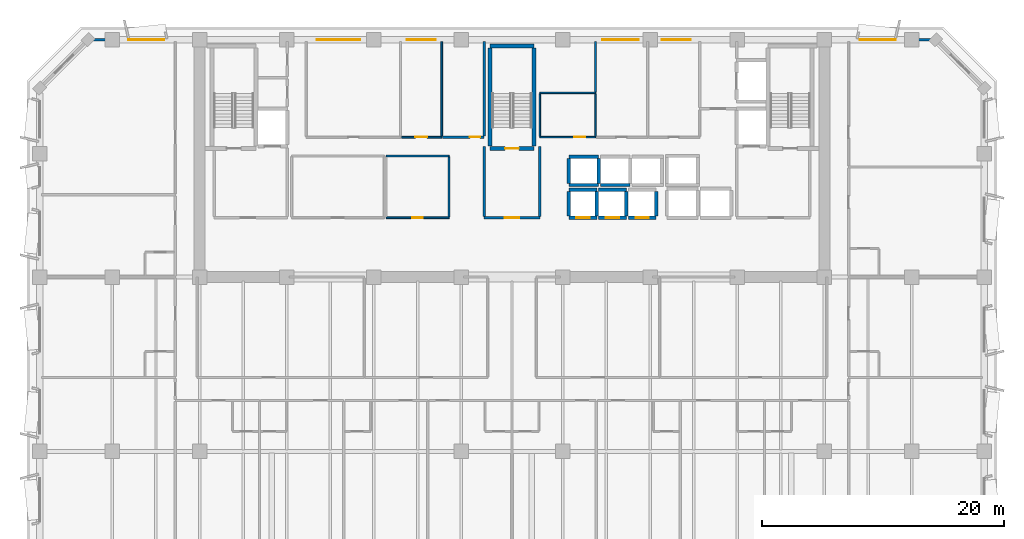
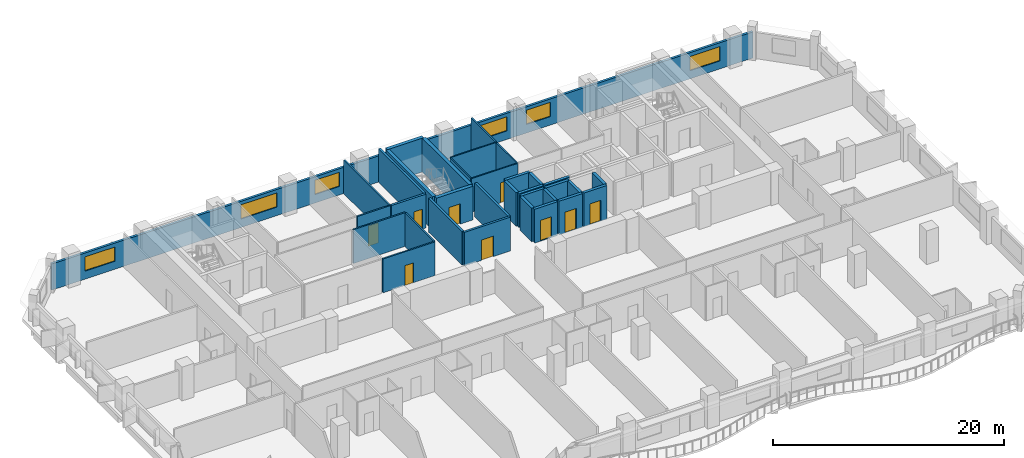
# One storey, part 7 of 14: 34 walls, 9 doors, 6 windows, 15 openings.
"""IFC4 building model written with IfcOpenShell, lengths in metres."""

from ifc_helpers import new_model, si_unit, direction, frame, frame_2d, origin, place, context, subcontext, project, spatial, rectangle, extrude, material, layer, layer_set, type_object, element, fill, save


model = new_model("IFC4")

# Units and contexts
model_context = context("Model", 3, precision=1e-05, world=origin(), true_north=direction((0.0, 1.0)))
body_context = subcontext(model_context, "Body", "Model", "MODEL_VIEW")
ifc_project = project(units=[si_unit("LENGTHUNIT", "METRE"), si_unit("AREAUNIT", "SQUARE_METRE"), si_unit("VOLUMEUNIT", "CUBIC_METRE"), si_unit("PLANEANGLEUNIT", "RADIAN"), si_unit("MASSUNIT", "GRAM", prefix="KILO")], contexts=[model_context])

# Site, building, storey
site_placement = place(None, origin())
site = spatial("IfcSite", under=ifc_project, at=site_placement, CompositionType="ELEMENT")
building_placement = place(site_placement, origin())
building = spatial("IfcBuilding", under=site, at=building_placement, Name="Kaelvorn Grand Hotel", CompositionType="ELEMENT")
storey_placement = place(building_placement, frame((0.0, 0.0, 161.949951171875)))
storey = spatial("IfcBuildingStorey", under=building, at=storey_placement, Name="L39", CompositionType="ELEMENT", Elevation=161.949951171875)

# Wall, openings, windows
ifc_material_1 = material(Name="Concrete C40/50", Category="concrete")
ifc_layer_1 = layer(ifc_material_1, 0.239990234375)
ifc_layer_set_1 = layer_set([ifc_layer_1], Name="Concrete C40/50")
wall_type_1 = type_object("IfcWallType", Name="WL-EXT-240-C40", PredefinedType="SOLIDWALL", material=ifc_layer_set_1)
wall_1_placement = place(storey_placement, frame((77.0, 49.0, 0.0), z_axis=(0.0, 0.0, 1.0), x_axis=(-1.0, 0.0, 0.0)))
wall_1 = element("IfcWall", 1, at=wall_1_placement, inside=storey, type_object=wall_type_1, Name="L39 Exterior Architectural Concrete Wall 05", PredefinedType="SOLIDWALL", context=body_context, shape_type="SweptSolid", body=[
    extrude(rectangle(XDim=70.0, YDim=0.239990234375, at=frame_2d((35.0, 0.0))), origin(), (0.0, 0.0, 1.0), 2.760009765625),
])
opening_1_placement = place(wall_1_placement, frame((63.699951171875, 0.0, 0.85009765625)))
opening_1 = element("IfcOpeningElement", 2, at=opening_1_placement, cuts=wall_1, Name="Opening W5", PredefinedType="OPENING", context=body_context, shape_type="SweptSolid", body=[
    extrude(rectangle(XDim=3.0, YDim=1.5, at=frame_2d((1.5, 0.75))), frame((0.0, 0.1298828125, 0.0), z_axis=(0.0, -1.0, 0.0), x_axis=(1.0, 0.0, 0.0)), (0.0, 0.0, 1.0), 0.260009765625),
])
opening_2_placement = place(wall_1_placement, frame((3.300048828125, 0.0, 0.85009765625)))
opening_2 = element("IfcOpeningElement", 3, at=opening_2_placement, cuts=wall_1, Name="Opening W5", PredefinedType="OPENING", context=body_context, shape_type="SweptSolid", body=[
    extrude(rectangle(XDim=3.0, YDim=1.5, at=frame_2d((1.5, 0.75))), frame((0.0, 0.1298828125, 0.0), z_axis=(0.0, -1.0, 0.0), x_axis=(1.0, 0.0, 0.0)), (0.0, 0.0, 1.0), 0.260009765625),
])
opening_3_placement = place(wall_1_placement, frame((47.514892578125, 0.0, 0.89990234375)))
opening_3 = element("IfcOpeningElement", 4, at=opening_3_placement, cuts=wall_1, Name="Opening W3", PredefinedType="OPENING", context=body_context, shape_type="SweptSolid", body=[
    extrude(rectangle(XDim=3.60009765625, YDim=1.5, at=frame_2d((1.800048828125, 0.75))), frame((0.0, 0.1298828125, 0.0), z_axis=(0.0, -1.0, 0.0), x_axis=(1.0, 0.0, 0.0)), (0.0, 0.0, 1.0), 0.260009765625),
])
opening_4_placement = place(wall_1_placement, frame((41.300048828125, 0.0, 0.89990234375)))
opening_4 = element("IfcOpeningElement", 5, at=opening_4_placement, cuts=wall_1, Name="Opening W6", PredefinedType="OPENING", context=body_context, shape_type="SweptSolid", body=[
    extrude(rectangle(XDim=2.39990234375, YDim=1.5, at=frame_2d((1.199951171875, 0.75))), frame((0.0, 0.1298828125, 0.0), z_axis=(0.0, -1.0, 0.0), x_axis=(1.0, 0.0, 0.0)), (0.0, 0.0, 1.0), 0.260009765625),
])
opening_5_placement = place(wall_1_placement, frame((24.550048828125, 0.0, 0.89990234375)))
opening_5 = element("IfcOpeningElement", 6, at=opening_5_placement, cuts=wall_1, Name="Opening W5", PredefinedType="OPENING", context=body_context, shape_type="SweptSolid", body=[
    extrude(rectangle(XDim=3.0, YDim=1.5, at=frame_2d((1.5, 0.75))), frame((0.0, 0.1298828125, 0.0), z_axis=(0.0, -1.0, 0.0), x_axis=(1.0, 0.0, 0.0)), (0.0, 0.0, 1.0), 0.260009765625),
])
opening_6_placement = place(wall_1_placement, frame((20.235107421875, 0.0, 0.89990234375)))
opening_6 = element("IfcOpeningElement", 7, at=opening_6_placement, cuts=wall_1, Name="Opening W6", PredefinedType="OPENING", context=body_context, shape_type="SweptSolid", body=[
    extrude(rectangle(XDim=2.39990234375, YDim=1.5, at=frame_2d((1.199951171875, 0.75))), frame((0.0, 0.1298828125, 0.0), z_axis=(0.0, -1.0, 0.0), x_axis=(1.0, 0.0, 0.0)), (0.0, 0.0, 1.0), 0.260009765625),
])
ifc_material_2 = material(Name="Laminated Low-E Glass", Category="glass")
window_type_1 = type_object("IfcWindowType", Name="WIN-NTH-2400x1500", PartitioningType="SINGLE_PANEL", PredefinedType="WINDOW", material=ifc_material_2)
window_1_placement = place(opening_4_placement, origin())
window_1 = element("IfcWindow", 8, at=window_1_placement, inside=storey, type_object=window_type_1, Name="L39 North Core Clerestory Ribbon Window NC04", OverallHeight=1.5, OverallWidth=2.39990234375, PartitioningType="SINGLE_PANEL", PredefinedType="WINDOW", context=body_context, shape_type="SweptSolid", body=[
    extrude(rectangle(XDim=2.39990234375, YDim=1.5, at=frame_2d((1.199951171875, 0.75))), frame((0.0, 0.030029296875, 0.0), z_axis=(0.0, -1.0, 0.0), x_axis=(1.0, 0.0, 0.0)), (0.0, 0.0, 1.0), 0.06005859375),
])
fill(opening_4, window_1)
window_2_placement = place(opening_6_placement, origin())
window_2 = element("IfcWindow", 9, at=window_2_placement, inside=storey, type_object=window_type_1, Name="L39 North Core Clerestory Ribbon Window NC06", OverallHeight=1.5, OverallWidth=2.39990234375, PartitioningType="SINGLE_PANEL", PredefinedType="WINDOW", context=body_context, shape_type="SweptSolid", body=[
    extrude(rectangle(XDim=2.39990234375, YDim=1.5, at=frame_2d((1.199951171875, 0.75))), frame((0.0, 0.030029296875, 0.0), z_axis=(0.0, -1.0, 0.0), x_axis=(1.0, 0.0, 0.0)), (0.0, 0.0, 1.0), 0.06005859375),
])
fill(opening_6, window_2)
window_type_2 = type_object("IfcWindowType", Name="WIN-NTH-3000x1500", PartitioningType="SINGLE_PANEL", PredefinedType="WINDOW", material=ifc_material_2)
window_3_placement = place(opening_1_placement, origin())
window_3 = element("IfcWindow", 10, at=window_3_placement, inside=storey, type_object=window_type_2, Name="L39 North Wing Ribbon Window NW01", OverallHeight=1.5, OverallWidth=3.0, PartitioningType="SINGLE_PANEL", PredefinedType="WINDOW", context=body_context, shape_type="SweptSolid", body=[
    extrude(rectangle(XDim=3.0, YDim=1.5, at=frame_2d((1.5, 0.75))), frame((0.0, 0.030029296875, 0.0), z_axis=(0.0, -1.0, 0.0), x_axis=(1.0, 0.0, 0.0)), (0.0, 0.0, 1.0), 0.06005859375),
])
fill(opening_1, window_3)
window_4_placement = place(opening_2_placement, origin())
window_4 = element("IfcWindow", 11, at=window_4_placement, inside=storey, type_object=window_type_2, Name="L39 North Wing Ribbon Window NW02", OverallHeight=1.5, OverallWidth=3.0, PartitioningType="SINGLE_PANEL", PredefinedType="WINDOW", context=body_context, shape_type="SweptSolid", body=[
    extrude(rectangle(XDim=3.0, YDim=1.5, at=frame_2d((1.5, 0.75))), frame((0.0, 0.030029296875, 0.0), z_axis=(0.0, -1.0, 0.0), x_axis=(1.0, 0.0, 0.0)), (0.0, 0.0, 1.0), 0.06005859375),
])
fill(opening_2, window_4)
window_5_placement = place(opening_5_placement, origin())
window_5 = element("IfcWindow", 12, at=window_5_placement, inside=storey, type_object=window_type_2, Name="L39 North Core Clerestory Ribbon Window NC05", OverallHeight=1.5, OverallWidth=3.0, PartitioningType="SINGLE_PANEL", PredefinedType="WINDOW", context=body_context, shape_type="SweptSolid", body=[
    extrude(rectangle(XDim=3.0, YDim=1.5, at=frame_2d((1.5, 0.75))), frame((0.0, 0.030029296875, 0.0), z_axis=(0.0, -1.0, 0.0), x_axis=(1.0, 0.0, 0.0)), (0.0, 0.0, 1.0), 0.06005859375),
])
fill(opening_5, window_5)
window_type_3 = type_object("IfcWindowType", Name="WIN-RIB-3600x1750", PartitioningType="SINGLE_PANEL", PredefinedType="WINDOW", material=ifc_material_2)
window_6_placement = place(opening_3_placement, origin())
window_6 = element("IfcWindow", 13, at=window_6_placement, inside=storey, type_object=window_type_3, Name="L39 North Core Clerestory Ribbon Window NC03", OverallHeight=1.5, OverallWidth=3.60009765625, PartitioningType="SINGLE_PANEL", PredefinedType="WINDOW", context=body_context, shape_type="SweptSolid", body=[
    extrude(rectangle(XDim=3.60009765625, YDim=1.5, at=frame_2d((1.800048828125, 0.75))), frame((0.0, 0.030029296875, 0.0), z_axis=(0.0, -1.0, 0.0), x_axis=(1.0, 0.0, 0.0)), (0.0, 0.0, 1.0), 0.06005859375),
])
fill(opening_3, window_6)

# Wall, opening, door
ifc_material_3 = material(Name="Moisture-Resistant Tile & Stud Board")
ifc_layer_2 = layer(ifc_material_3, 0.125)
ifc_layer_set_2 = layer_set([ifc_layer_2], Name="Moisture-Resistant Tile & Stud Board")
wall_type_2 = type_object("IfcWallType", Name="WL-PART-125-WET", PredefinedType="PARTITIONING", material=ifc_layer_set_2)
wall_2_placement = place(storey_placement, frame((44.300048828125, 40.949951171875, 0.0), z_axis=(0.0, 0.0, 1.0), x_axis=(1.0, 0.0, 0.0)))
wall_2 = element("IfcWall", 14, at=wall_2_placement, inside=storey, type_object=wall_type_2, Name="L39 Accessible WC S Partition", PredefinedType="PARTITIONING", context=body_context, shape_type="SweptSolid", body=[
    extrude(rectangle(XDim=4.599853515625, YDim=0.125, at=frame_2d((2.2998046875, 0.0))), origin(), (0.0, 0.0, 1.0), 3.56005859375),
])
opening_7_placement = place(wall_2_placement, frame((2.85009765625, 0.0, 0.0)))
opening_7 = element("IfcOpeningElement", 15, at=opening_7_placement, cuts=wall_2, Name="Opening DI4", PredefinedType="OPENING", context=body_context, shape_type="SweptSolid", body=[
    extrude(rectangle(XDim=0.89990234375, YDim=2.10009765625, at=frame_2d((0.449951171875, 1.050048828125))), frame((0.0, 0.072509765625, 0.0), z_axis=(0.0, -1.0, 0.0), x_axis=(1.0, 0.0, 0.0)), (0.0, 0.0, 1.0), 0.14501953125),
])
ifc_material_4 = material(Name="Timber Veneer Leaf", Category="wood")
door_type_1 = type_object("IfcDoorType", Name="DR-INT-BATH-900x2100", OperationType="NOTDEFINED", PredefinedType="DOOR", material=ifc_material_4)
door_1_placement = place(opening_7_placement, origin())
door_1 = element("IfcDoor", 16, at=door_1_placement, inside=storey, type_object=door_type_1, Name="L39 Accessible WC Door", OperationType="SINGLE_SWING_RIGHT", OverallHeight=2.10009765625, OverallWidth=0.89990234375, PredefinedType="DOOR", context=body_context, shape_type="SweptSolid", body=[
    extrude(rectangle(XDim=0.89990234375, YDim=2.10009765625, at=frame_2d((0.449951171875, 1.050048828125))), frame((0.0, 0.02490234375, 0.0), z_axis=(0.0, -1.0, 0.0), x_axis=(1.0, 0.0, 0.0)), (0.0, 0.0, 1.0), 0.050048828125),
])
fill(opening_7, door_1)

# Walls
wall_3_placement = place(storey_placement, frame((44.300048828125, 44.60009765625, 0.0), z_axis=(0.0, 0.0, 1.0), x_axis=(1.0, 0.0, 0.0)))
element("IfcWall", 17, at=wall_3_placement, inside=storey, type_object=wall_type_2, Name="L39 Accessible WC N Partition", PredefinedType="PARTITIONING", context=body_context, shape_type="SweptSolid", body=[
    extrude(rectangle(XDim=4.599853515625, YDim=0.125, at=frame_2d((2.2998046875, 0.0))), origin(), (0.0, 0.0, 1.0), 3.56005859375),
])
for number, where, z_axis, x_axis, name in (
    (18, (44.300048828125, 41.017578125, 0.0), (0.0, 0.0, 1.0), (0.0, 1.0, 0.0), "L39 Accessible WC W Partition"),
    (19, (48.89990234375, 41.017578125, 0.0), (0.0, 0.0, 1.0), (0.0, 1.0, 0.0), "L39 Accessible WC E Partition"),
):
    element("IfcWall", number, at=place(storey_placement, frame(where, z_axis=z_axis, x_axis=x_axis)), inside=storey, type_object=wall_type_2, Name=name, PredefinedType="PARTITIONING", context=body_context, shape_type="SweptSolid", body=[
        extrude(rectangle(XDim=3.514892578125, YDim=0.125, at=frame_2d((1.75732421875, 0.0))), origin(), (0.0, 0.0, 1.0), 3.56005859375),
    ])

# Wall, opening, door
ifc_material_5 = material(Name="Acoustic Gypsum & Stud Partition")
ifc_layer_3 = layer(ifc_material_5, 0.14990234375)
ifc_layer_set_3 = layer_set([ifc_layer_3], Name="Acoustic Gypsum & Stud Partition")
wall_type_3 = type_object("IfcWallType", Name="WL-PART-150-EI60", PredefinedType="PARTITIONING", material=ifc_layer_set_3)
wall_4_placement = place(storey_placement, frame((31.60009765625, 34.300048828125, 0.0), z_axis=(0.0, 0.0, 1.0), x_axis=(1.0, 0.0, 0.0)))
wall_4 = element("IfcWall", 20, at=wall_4_placement, inside=storey, type_object=wall_type_3, Name="L39 Core Telecoms & BMS Server Room S Partition", PredefinedType="PARTITIONING", context=body_context, shape_type="SweptSolid", body=[
    extrude(rectangle(XDim=5.199951171875, YDim=0.14990234375, at=frame_2d((2.60009765625, 0.0))), origin(), (0.0, 0.0, 1.0), 3.56005859375),
])
opening_8_placement = place(wall_4_placement, frame((2.175048828125, 0.0, 0.0)))
opening_8 = element("IfcOpeningElement", 21, at=opening_8_placement, cuts=wall_4, Name="Opening DI7", PredefinedType="OPENING", context=body_context, shape_type="SweptSolid", body=[
    extrude(rectangle(XDim=0.85009765625, YDim=2.10009765625, at=frame_2d((0.425048828125, 1.050048828125))), frame((0.0, 0.0849609375, 0.0), z_axis=(0.0, -1.0, 0.0), x_axis=(1.0, 0.0, 0.0)), (0.0, 0.0, 1.0), 0.169921875),
])
ifc_material_6 = material(Name="Powder-Coated Steel Leaf", Category="steel")
door_type_2 = type_object("IfcDoorType", Name="DR-INT-RISER-850x2100", OperationType="NOTDEFINED", PredefinedType="DOOR", material=ifc_material_6)
door_2_placement = place(opening_8_placement, origin())
door_2 = element("IfcDoor", 22, at=door_2_placement, inside=storey, type_object=door_type_2, Name="L39 Core Telecoms & BMS Server Room Door", OperationType="SINGLE_SWING_LEFT", OverallHeight=2.10009765625, OverallWidth=0.85009765625, PredefinedType="DOOR", context=body_context, shape_type="SweptSolid", body=[
    extrude(rectangle(XDim=0.85009765625, YDim=2.10009765625, at=frame_2d((0.425048828125, 1.050048828125))), frame((0.0, 0.02490234375, 0.0), z_axis=(0.0, -1.0, 0.0), x_axis=(1.0, 0.0, 0.0)), (0.0, 0.0, 1.0), 0.050048828125),
])
fill(opening_8, door_2)

# Walls
wall_5_placement = place(storey_placement, frame((31.60009765625, 39.39990234375, 0.0), z_axis=(0.0, 0.0, 1.0), x_axis=(1.0, 0.0, 0.0)))
element("IfcWall", 23, at=wall_5_placement, inside=storey, type_object=wall_type_3, Name="L39 Core Telecoms & BMS Server Room N Partition", PredefinedType="PARTITIONING", context=body_context, shape_type="SweptSolid", body=[
    extrude(rectangle(XDim=5.199951171875, YDim=0.14990234375, at=frame_2d((2.60009765625, 0.0))), origin(), (0.0, 0.0, 1.0), 3.56005859375),
])
wall_6_placement = place(storey_placement, frame((36.800048828125, 34.3798828125, 0.0), z_axis=(0.0, 0.0, 1.0), x_axis=(0.0, 1.0, 0.0)))
element("IfcWall", 24, at=wall_6_placement, inside=storey, type_object=wall_type_3, Name="L39 Core Telecoms & BMS Server Room E Partition", PredefinedType="PARTITIONING", context=body_context, shape_type="SweptSolid", body=[
    extrude(rectangle(XDim=4.940185546875, YDim=0.14990234375, at=frame_2d((2.47021484375, 0.0))), origin(), (0.0, 0.0, 1.0), 3.56005859375),
])

# Wall, opening, door
wall_7_placement = place(storey_placement, frame((32.8798828125, 40.949951171875, 0.0), z_axis=(0.0, 0.0, 1.0), x_axis=(1.0, 0.0, 0.0)))
wall_7 = element("IfcWall", 25, at=wall_7_placement, inside=storey, type_object=wall_type_3, Name="L39 Floor Butler Tea Point S Partition", PredefinedType="PARTITIONING", context=body_context, shape_type="SweptSolid", body=[
    extrude(rectangle(XDim=3.320068359375, YDim=0.14990234375, at=frame_2d((1.66015625, 0.0))), origin(), (0.0, 0.0, 1.0), 3.56005859375),
])
opening_9_placement = place(wall_7_placement, frame((1.1201171875, 0.0, 0.0)))
opening_9 = element("IfcOpeningElement", 26, at=opening_9_placement, cuts=wall_7, Name="Opening DI3", PredefinedType="OPENING", context=body_context, shape_type="SweptSolid", body=[
    extrude(rectangle(XDim=1.0, YDim=2.14990234375, at=frame_2d((0.5, 1.074951171875))), frame((0.0, 0.0849609375, 0.0), z_axis=(0.0, -1.0, 0.0), x_axis=(1.0, 0.0, 0.0)), (0.0, 0.0, 1.0), 0.169921875),
])
ifc_material_7 = material(Name="Timber Veneer Fire Leaf", Category="wood")
door_type_3 = type_object("IfcDoorType", Name="DR-INT-GUEST-1000x2150", OperationType="NOTDEFINED", PredefinedType="DOOR", material=ifc_material_7)
door_3_placement = place(opening_9_placement, origin())
door_3 = element("IfcDoor", 27, at=door_3_placement, inside=storey, type_object=door_type_3, Name="L39 Floor Butler Tea Point Door", OperationType="SINGLE_SWING_RIGHT", OverallHeight=2.14990234375, OverallWidth=1.0, PredefinedType="DOOR", context=body_context, shape_type="SweptSolid", body=[
    extrude(rectangle(XDim=1.0, YDim=2.14990234375, at=frame_2d((0.5, 1.074951171875))), frame((0.0, 0.02490234375, 0.0), z_axis=(0.0, -1.0, 0.0), x_axis=(1.0, 0.0, 0.0)), (0.0, 0.0, 1.0), 0.050048828125),
])
fill(opening_9, door_3)

# Walls
wall_8_placement = place(storey_placement, frame((36.199951171875, 41.030029296875, 0.0), z_axis=(0.0, 0.0, 1.0), x_axis=(0.0, 1.0, 0.0)))
element("IfcWall", 28, at=wall_8_placement, inside=storey, type_object=wall_type_3, Name="L39 Floor Butler Tea Point E Partition", PredefinedType="PARTITIONING", context=body_context, shape_type="SweptSolid", body=[
    extrude(rectangle(XDim=7.820068359375, YDim=0.14990234375, at=frame_2d((3.91015625, 0.0))), origin(), (0.0, 0.0, 1.0), 3.56005859375),
])
wall_9_placement = place(storey_placement, frame((48.89990234375, 44.66748046875, 0.0), z_axis=(0.0, 0.0, 1.0), x_axis=(0.0, 1.0, 0.0)))
element("IfcWall", 29, at=wall_9_placement, inside=storey, type_object=wall_type_3, Name="L39 Minibar & Glassware Store W Partition", PredefinedType="PARTITIONING", context=body_context, shape_type="SweptSolid", body=[
    extrude(rectangle(XDim=4.1826171875, YDim=0.14990234375, at=frame_2d((2.09130859375, 0.0))), origin(), (0.0, 0.0, 1.0), 3.56005859375),
])

# Wall, opening, door
ifc_layer_4 = layer(ifc_material_1, 0.219970703125)
ifc_layer_set_4 = layer_set([ifc_layer_4], Name="Concrete C40/50")
wall_type_4 = type_object("IfcWallType", Name="WL-PART-220-EI120", PredefinedType="PARTITIONING", material=ifc_layer_set_4)
wall_10_placement = place(storey_placement, frame((39.699951171875, 34.300048828125, 0.0), z_axis=(0.0, 0.0, 1.0), x_axis=(1.0, 0.0, 0.0)))
wall_10 = element("IfcWall", 30, at=wall_10_placement, inside=storey, type_object=wall_type_4, Name="L39 Central Stair Escape Vestibule S Partition", PredefinedType="PARTITIONING", context=body_context, shape_type="SweptSolid", body=[
    extrude(rectangle(XDim=4.60009765625, YDim=0.219970703125, at=frame_2d((2.300048828125, 0.0))), origin(), (0.0, 0.0, 1.0), 3.56005859375),
])
opening_10_placement = place(wall_10_placement, frame((1.699951171875, 0.0, 0.0)))
opening_10 = element("IfcOpeningElement", 31, at=opening_10_placement, cuts=wall_10, Name="Opening DI2", PredefinedType="OPENING", context=body_context, shape_type="SweptSolid", body=[
    extrude(rectangle(XDim=1.199951171875, YDim=2.14990234375, at=frame_2d((0.60009765625, 1.074951171875))), frame((0.0, 0.1201171875, 0.0), z_axis=(0.0, -1.0, 0.0), x_axis=(1.0, 0.0, 0.0)), (0.0, 0.0, 1.0), 0.239990234375),
])
door_type_4 = type_object("IfcDoorType", Name="DR-INT-FFLOB-1200x2150", OperationType="NOTDEFINED", PredefinedType="DOOR", material=ifc_material_7)
door_4_placement = place(opening_10_placement, origin())
door_4 = element("IfcDoor", 32, at=door_4_placement, inside=storey, type_object=door_type_4, Name="L39 Central Stair Escape Vestibule Door", OperationType="SINGLE_SWING_LEFT", OverallHeight=2.14990234375, OverallWidth=1.199951171875, PredefinedType="DOOR", context=body_context, shape_type="SweptSolid", body=[
    extrude(rectangle(XDim=1.199951171875, YDim=2.14990234375, at=frame_2d((0.60009765625, 1.074951171875))), frame((0.0, 0.02490234375, 0.0), z_axis=(0.0, -1.0, 0.0), x_axis=(1.0, 0.0, 0.0)), (0.0, 0.0, 1.0), 0.050048828125),
])
fill(opening_10, door_4)

# Walls
for number, where, z_axis, x_axis, name in (
    (33, (39.699951171875, 34.4150390625, 0.0), (0.0, 0.0, 1.0), (0.0, 1.0, 0.0), "L39 Central Stair Escape Vestibule W Partition"),
    (34, (44.300048828125, 34.4150390625, 0.0), (0.0, 0.0, 1.0), (0.0, 1.0, 0.0), "L39 Central Stair Escape Vestibule E Partition"),
):
    element("IfcWall", number, at=place(storey_placement, frame(where, z_axis=z_axis, x_axis=x_axis)), inside=storey, type_object=wall_type_4, Name=name, PredefinedType="PARTITIONING", context=body_context, shape_type="SweptSolid", body=[
        extrude(rectangle(XDim=5.784912109375, YDim=0.219970703125, at=frame_2d((2.892578125, 0.0))), origin(), (0.0, 0.0, 1.0), 3.56005859375),
    ])

# Wall, opening, door
wall_11_placement = place(storey_placement, frame((36.280029296875, 40.949951171875, 0.0), z_axis=(0.0, 0.0, 1.0), x_axis=(1.0, 0.0, 0.0)))
wall_11 = element("IfcWall", 35, at=wall_11_placement, inside=storey, type_object=wall_type_4, Name="L39 LV Electrical & Metering Room S Partition", PredefinedType="PARTITIONING", context=body_context, shape_type="SweptSolid", body=[
    extrude(rectangle(XDim=3.419921875, YDim=0.219970703125, at=frame_2d((1.7099609375, 0.0))), origin(), (0.0, 0.0, 1.0), 3.56005859375),
])
opening_11_placement = place(wall_11_placement, frame((2.2451171875, 0.0, 0.0)))
opening_11 = element("IfcOpeningElement", 36, at=opening_11_placement, cuts=wall_11, Name="Opening DI7", PredefinedType="OPENING", context=body_context, shape_type="SweptSolid", body=[
    extrude(rectangle(XDim=0.85009765625, YDim=2.10009765625, at=frame_2d((0.425048828125, 1.050048828125))), frame((0.0, 0.1201171875, 0.0), z_axis=(0.0, -1.0, 0.0), x_axis=(1.0, 0.0, 0.0)), (0.0, 0.0, 1.0), 0.239990234375),
])
door_5_placement = place(opening_11_placement, origin())
door_5 = element("IfcDoor", 37, at=door_5_placement, inside=storey, type_object=door_type_2, Name="L39 LV Electrical & Metering Room Door", OperationType="SINGLE_SWING_LEFT", OverallHeight=2.10009765625, OverallWidth=0.85009765625, PredefinedType="DOOR", context=body_context, shape_type="SweptSolid", body=[
    extrude(rectangle(XDim=0.85009765625, YDim=2.10009765625, at=frame_2d((0.425048828125, 1.050048828125))), frame((0.0, 0.02490234375, 0.0), z_axis=(0.0, -1.0, 0.0), x_axis=(1.0, 0.0, 0.0)), (0.0, 0.0, 1.0), 0.050048828125),
])
fill(opening_11, door_5)

# Wall
wall_12_placement = place(storey_placement, frame((39.699951171875, 41.06494140625, 0.0), z_axis=(0.0, 0.0, 1.0), x_axis=(0.0, 1.0, 0.0)))
element("IfcWall", 38, at=wall_12_placement, inside=storey, type_object=wall_type_4, Name="L39 LV Electrical & Metering Room E Partition", PredefinedType="PARTITIONING", context=body_context, shape_type="SweptSolid", body=[
    extrude(rectangle(XDim=7.78515625, YDim=0.219970703125, at=frame_2d((3.892578125, 0.0))), origin(), (0.0, 0.0, 1.0), 3.56005859375),
])

# Wall, opening, door
ifc_material_8 = material(Name="Concrete C50/60", Category="concrete")
ifc_layer_5 = layer(ifc_material_8, 0.280029296875)
ifc_layer_set_5 = layer_set([ifc_layer_5], Name="Concrete C50/60")
wall_type_5 = type_object("IfcWallType", Name="WL-SHAFT-280-C50", PredefinedType="SHEAR", material=ifc_layer_set_5)
wall_13_placement = place(storey_placement, frame((46.699951171875, 34.300048828125, 0.0), z_axis=(0.0, 0.0, 1.0), x_axis=(1.0, 0.0, 0.0)))
wall_13 = element("IfcWall", 39, at=wall_13_placement, inside=storey, type_object=wall_type_5, Name="L39 Lift PL-M1 Shaft South Wall", PredefinedType="SHEAR", context=body_context, shape_type="SweptSolid", body=[
    extrude(rectangle(XDim=2.300048828125, YDim=0.280029296875, at=frame_2d((1.14990234375, 0.0))), origin(), (0.0, 0.0, 1.0), 3.56005859375),
])
opening_12_placement = place(wall_13_placement, frame((0.60009765625, 0.0, 0.0)))
opening_12 = element("IfcOpeningElement", 40, at=opening_12_placement, cuts=wall_13, Name="Opening LD-PL-M1", PredefinedType="OPENING", context=body_context, shape_type="SweptSolid", body=[
    extrude(rectangle(XDim=1.10009765625, YDim=2.199951171875, at=frame_2d((0.550048828125, 1.10009765625))), frame((0.0, 0.14990234375, 0.0), z_axis=(0.0, -1.0, 0.0), x_axis=(1.0, 0.0, 0.0)), (0.0, 0.0, 1.0), 0.300048828125),
])
ifc_material_9 = material(Name="Stainless Steel", Category="steel")
door_type_5 = type_object("IfcDoorType", Name="DR-LIFT-PASS-1100x2200", OperationType="DOUBLE_DOOR_SLIDING", PredefinedType="DOOR", material=ifc_material_9)
door_6_placement = place(opening_12_placement, origin())
door_6 = element("IfcDoor", 41, at=door_6_placement, inside=storey, type_object=door_type_5, Name="L39 Lift PL-M1 Sliding Landing Door LD-PL-M1", OperationType="DOUBLE_DOOR_SLIDING", OverallHeight=2.199951171875, OverallWidth=1.10009765625, PredefinedType="DOOR", context=body_context, shape_type="SweptSolid", body=[
    extrude(rectangle(XDim=1.10009765625, YDim=2.199951171875, at=frame_2d((0.550048828125, 1.10009765625))), frame((0.0, 0.02490234375, 0.0), z_axis=(0.0, -1.0, 0.0), x_axis=(1.0, 0.0, 0.0)), (0.0, 0.0, 1.0), 0.050048828125),
])
fill(opening_12, door_6)

# Walls
wall_14_placement = place(storey_placement, frame((46.699951171875, 36.60009765625, 0.0), z_axis=(0.0, 0.0, 1.0), x_axis=(1.0, 0.0, 0.0)))
element("IfcWall", 42, at=wall_14_placement, inside=storey, type_object=wall_type_5, Name="L39 Lift PL-M1 Shaft North Wall", PredefinedType="SHEAR", context=body_context, shape_type="SweptSolid", body=[
    extrude(rectangle(XDim=2.300048828125, YDim=0.280029296875, at=frame_2d((1.14990234375, 0.0))), origin(), (0.0, 0.0, 1.0), 3.56005859375),
])
for number, where, z_axis, x_axis, name in (
    (43, (46.699951171875, 34.445068359375, 0.0), (0.0, 0.0, 1.0), (0.0, 1.0, 0.0), "L39 Lift PL-M1 Shaft West Wall"),
    (44, (49.0, 34.445068359375, 0.0), (0.0, 0.0, 1.0), (0.0, 1.0, 0.0), "L39 Lift PL-M1 Shaft East Wall"),
):
    element("IfcWall", number, at=place(storey_placement, frame(where, z_axis=z_axis, x_axis=x_axis)), inside=storey, type_object=wall_type_5, Name=name, PredefinedType="SHEAR", context=body_context, shape_type="SweptSolid", body=[
        extrude(rectangle(XDim=2.010009765625, YDim=0.280029296875, at=frame_2d((1.0048828125, 0.0))), origin(), (0.0, 0.0, 1.0), 3.56005859375),
    ])

# Wall, opening, door
wall_15_placement = place(storey_placement, frame((49.14990234375, 34.300048828125, 0.0), z_axis=(0.0, 0.0, 1.0), x_axis=(1.0, 0.0, 0.0)))
wall_15 = element("IfcWall", 45, at=wall_15_placement, inside=storey, type_object=wall_type_5, Name="L39 Lift PL-M2 Shaft South Wall", PredefinedType="SHEAR", context=body_context, shape_type="SweptSolid", body=[
    extrude(rectangle(XDim=2.300048828125, YDim=0.280029296875, at=frame_2d((1.14990234375, 0.0))), origin(), (0.0, 0.0, 1.0), 3.56005859375),
])
opening_13_placement = place(wall_15_placement, frame((0.60009765625, 0.0, 0.0)))
opening_13 = element("IfcOpeningElement", 46, at=opening_13_placement, cuts=wall_15, Name="Opening LD-PL-M2", PredefinedType="OPENING", context=body_context, shape_type="SweptSolid", body=[
    extrude(rectangle(XDim=1.10009765625, YDim=2.199951171875, at=frame_2d((0.550048828125, 1.10009765625))), frame((0.0, 0.14990234375, 0.0), z_axis=(0.0, -1.0, 0.0), x_axis=(1.0, 0.0, 0.0)), (0.0, 0.0, 1.0), 0.300048828125),
])
door_7_placement = place(opening_13_placement, origin())
door_7 = element("IfcDoor", 47, at=door_7_placement, inside=storey, type_object=door_type_5, Name="L39 Lift PL-M2 Sliding Landing Door LD-PL-M2", OperationType="DOUBLE_DOOR_SLIDING", OverallHeight=2.199951171875, OverallWidth=1.10009765625, PredefinedType="DOOR", context=body_context, shape_type="SweptSolid", body=[
    extrude(rectangle(XDim=1.10009765625, YDim=2.199951171875, at=frame_2d((0.550048828125, 1.10009765625))), frame((0.0, 0.02490234375, 0.0), z_axis=(0.0, -1.0, 0.0), x_axis=(1.0, 0.0, 0.0)), (0.0, 0.0, 1.0), 0.050048828125),
])
fill(opening_13, door_7)

# Walls
wall_16_placement = place(storey_placement, frame((49.14990234375, 36.60009765625, 0.0), z_axis=(0.0, 0.0, 1.0), x_axis=(1.0, 0.0, 0.0)))
element("IfcWall", 48, at=wall_16_placement, inside=storey, type_object=wall_type_5, Name="L39 Lift PL-M2 Shaft North Wall", PredefinedType="SHEAR", context=body_context, shape_type="SweptSolid", body=[
    extrude(rectangle(XDim=2.300048828125, YDim=0.280029296875, at=frame_2d((1.14990234375, 0.0))), origin(), (0.0, 0.0, 1.0), 3.56005859375),
])
wall_17_placement = place(storey_placement, frame((51.449951171875, 34.445068359375, 0.0), z_axis=(0.0, 0.0, 1.0), x_axis=(0.0, 1.0, 0.0)))
element("IfcWall", 49, at=wall_17_placement, inside=storey, type_object=wall_type_5, Name="L39 Lift PL-M2 Shaft East Wall", PredefinedType="SHEAR", context=body_context, shape_type="SweptSolid", body=[
    extrude(rectangle(XDim=2.010009765625, YDim=0.280029296875, at=frame_2d((1.0048828125, 0.0))), origin(), (0.0, 0.0, 1.0), 3.56005859375),
])

# Wall, opening, door
wall_18_placement = place(storey_placement, frame((51.60009765625, 34.300048828125, 0.0), z_axis=(0.0, 0.0, 1.0), x_axis=(1.0, 0.0, 0.0)))
wall_18 = element("IfcWall", 50, at=wall_18_placement, inside=storey, type_object=wall_type_5, Name="L39 Lift PL-M3 Shaft South Wall", PredefinedType="SHEAR", context=body_context, shape_type="SweptSolid", body=[
    extrude(rectangle(XDim=2.2998046875, YDim=0.280029296875, at=frame_2d((1.14990234375, 0.0))), origin(), (0.0, 0.0, 1.0), 3.56005859375),
])
opening_14_placement = place(wall_18_placement, frame((0.60009765625, 0.0, 0.0)))
opening_14 = element("IfcOpeningElement", 51, at=opening_14_placement, cuts=wall_18, Name="Opening LD-PL-M3", PredefinedType="OPENING", context=body_context, shape_type="SweptSolid", body=[
    extrude(rectangle(XDim=1.10009765625, YDim=2.199951171875, at=frame_2d((0.550048828125, 1.10009765625))), frame((0.0, 0.14990234375, 0.0), z_axis=(0.0, -1.0, 0.0), x_axis=(1.0, 0.0, 0.0)), (0.0, 0.0, 1.0), 0.300048828125),
])
door_8_placement = place(opening_14_placement, origin())
door_8 = element("IfcDoor", 52, at=door_8_placement, inside=storey, type_object=door_type_5, Name="L39 Lift PL-M3 Sliding Landing Door LD-PL-M3", OperationType="DOUBLE_DOOR_SLIDING", OverallHeight=2.199951171875, OverallWidth=1.10009765625, PredefinedType="DOOR", context=body_context, shape_type="SweptSolid", body=[
    extrude(rectangle(XDim=1.10009765625, YDim=2.199951171875, at=frame_2d((0.550048828125, 1.10009765625))), frame((0.0, 0.02490234375, 0.0), z_axis=(0.0, -1.0, 0.0), x_axis=(1.0, 0.0, 0.0)), (0.0, 0.0, 1.0), 0.050048828125),
])
fill(opening_14, door_8)

# Walls
wall_19_placement = place(storey_placement, frame((53.89990234375, 34.445068359375, 0.0), z_axis=(0.0, 0.0, 1.0), x_axis=(0.0, 1.0, 0.0)))
element("IfcWall", 53, at=wall_19_placement, inside=storey, type_object=wall_type_5, Name="L39 Lift PL-M3 Shaft East Wall", PredefinedType="SHEAR", context=body_context, shape_type="SweptSolid", body=[
    extrude(rectangle(XDim=2.010009765625, YDim=0.280029296875, at=frame_2d((1.0048828125, 0.0))), origin(), (0.0, 0.0, 1.0), 3.56005859375),
])
for number, where, z_axis, x_axis, name in (
    (54, (46.699951171875, 37.0, 0.0), (0.0, 0.0, 1.0), (1.0, 0.0, 0.0), "L39 Lift SL-1 Shaft South Wall"),
    (55, (46.699951171875, 39.35009765625, 0.0), (0.0, 0.0, 1.0), (1.0, 0.0, 0.0), "L39 Lift SL-1 Shaft North Wall"),
):
    element("IfcWall", number, at=place(storey_placement, frame(where, z_axis=z_axis, x_axis=x_axis)), inside=storey, type_object=wall_type_5, Name=name, PredefinedType="SHEAR", context=body_context, shape_type="SweptSolid", body=[
        extrude(rectangle(XDim=2.449951171875, YDim=0.280029296875, at=frame_2d((1.22509765625, 0.0))), origin(), (0.0, 0.0, 1.0), 3.56005859375),
    ])
for number, where, z_axis, x_axis, name in (
    (56, (46.699951171875, 37.14501953125, 0.0), (0.0, 0.0, 1.0), (0.0, 1.0, 0.0), "L39 Lift SL-1 Shaft West Wall"),
    (57, (49.14990234375, 37.14501953125, 0.0), (0.0, 0.0, 1.0), (0.0, 1.0, 0.0), "L39 Lift SL-1 Shaft East Wall"),
):
    element("IfcWall", number, at=place(storey_placement, frame(where, z_axis=z_axis, x_axis=x_axis)), inside=storey, type_object=wall_type_5, Name=name, PredefinedType="SHEAR", context=body_context, shape_type="SweptSolid", body=[
        extrude(rectangle(XDim=2.06005859375, YDim=0.280029296875, at=frame_2d((1.030029296875, 0.0))), origin(), (0.0, 0.0, 1.0), 3.56005859375),
    ])
wall_20_placement = place(storey_placement, frame((49.300048828125, 37.0, 0.0), z_axis=(0.0, 0.0, 1.0), x_axis=(1.0, 0.0, 0.0)))
element("IfcWall", 58, at=wall_20_placement, inside=storey, type_object=wall_type_5, Name="L39 Lift SL-2 Shaft South Wall", PredefinedType="SHEAR", context=body_context, shape_type="SweptSolid", body=[
    extrude(rectangle(XDim=2.449951171875, YDim=0.280029296875, at=frame_2d((1.22509765625, 0.0))), origin(), (0.0, 0.0, 1.0), 3.56005859375),
])

# Wall, opening, door
ifc_material_10 = material(Name="Concrete C60/75", Category="concrete")
ifc_layer_6 = layer(ifc_material_10, 0.35009765625)
ifc_layer_set_6 = layer_set([ifc_layer_6], Name="Concrete C60/75")
wall_type_6 = type_object("IfcWallType", Name="WL-SHAFT-350-C60", PredefinedType="SHEAR", material=ifc_layer_set_6)
wall_21_placement = place(storey_placement, frame((40.18505859375, 40.02490234375, 0.0), z_axis=(0.0, 0.0, 1.0), x_axis=(1.0, 0.0, 0.0)))
wall_21 = element("IfcWall", 59, at=wall_21_placement, inside=storey, type_object=wall_type_6, Name="L39 ST2 Stair Shaft South Wall", PredefinedType="SHEAR", context=body_context, shape_type="SweptSolid", body=[
    extrude(rectangle(XDim=3.6298828125, YDim=0.35009765625, at=frame_2d((1.81494140625, 0.0))), origin(), (0.0, 0.0, 1.0), 3.56005859375),
])
opening_15_placement = place(wall_21_placement, frame((1.239990234375, 0.0, 0.0)))
opening_15 = element("IfcOpeningElement", 60, at=opening_15_placement, cuts=wall_21, Name="Opening DI1", PredefinedType="OPENING", context=body_context, shape_type="SweptSolid", body=[
    extrude(rectangle(XDim=1.14990234375, YDim=2.14990234375, at=frame_2d((0.574951171875, 1.074951171875))), frame((0.0, 0.18505859375, 0.0), z_axis=(0.0, -1.0, 0.0), x_axis=(1.0, 0.0, 0.0)), (0.0, 0.0, 1.0), 0.3701171875),
])
door_type_6 = type_object("IfcDoorType", Name="DR-INT-STAIR-1150x2150", OperationType="NOTDEFINED", PredefinedType="DOOR", material=ifc_material_7)
door_9_placement = place(opening_15_placement, origin())
door_9 = element("IfcDoor", 61, at=door_9_placement, inside=storey, type_object=door_type_6, Name="L39 ST2 Exit Stair Fire Door", OperationType="SINGLE_SWING_LEFT", OverallHeight=2.14990234375, OverallWidth=1.14990234375, PredefinedType="DOOR", context=body_context, shape_type="SweptSolid", body=[
    extrude(rectangle(XDim=1.14990234375, YDim=2.14990234375, at=frame_2d((0.574951171875, 1.074951171875))), frame((0.0, 0.02490234375, 0.0), z_axis=(0.0, -1.0, 0.0), x_axis=(1.0, 0.0, 0.0)), (0.0, 0.0, 1.0), 0.050048828125),
])
fill(opening_15, door_9)

# Walls
wall_22_placement = place(storey_placement, frame((40.18505859375, 48.47509765625, 0.0), z_axis=(0.0, 0.0, 1.0), x_axis=(1.0, 0.0, 0.0)))
element("IfcWall", 62, at=wall_22_placement, inside=storey, type_object=wall_type_6, Name="L39 ST2 Stair Shaft North Wall", PredefinedType="SHEAR", context=body_context, shape_type="SweptSolid", body=[
    extrude(rectangle(XDim=3.6298828125, YDim=0.35009765625, at=frame_2d((1.81494140625, 0.0))), origin(), (0.0, 0.0, 1.0), 3.56005859375),
])
for number, where, z_axis, x_axis, name in (
    (63, (40.18505859375, 40.205078125, 0.0), (0.0, 0.0, 1.0), (0.0, 1.0, 0.0), "L39 ST2 Stair Shaft West Wall"),
    (64, (43.81494140625, 40.205078125, 0.0), (0.0, 0.0, 1.0), (0.0, 1.0, 0.0), "L39 ST2 Stair Shaft East Wall"),
):
    element("IfcWall", number, at=place(storey_placement, frame(where, z_axis=z_axis, x_axis=x_axis)), inside=storey, type_object=wall_type_6, Name=name, PredefinedType="SHEAR", context=body_context, shape_type="SweptSolid", body=[
        extrude(rectangle(XDim=8.08984375, YDim=0.35009765625, at=frame_2d((4.044921875, 0.0))), origin(), (0.0, 0.0, 1.0), 3.56005859375),
    ])

save(model, "model.ifc")
